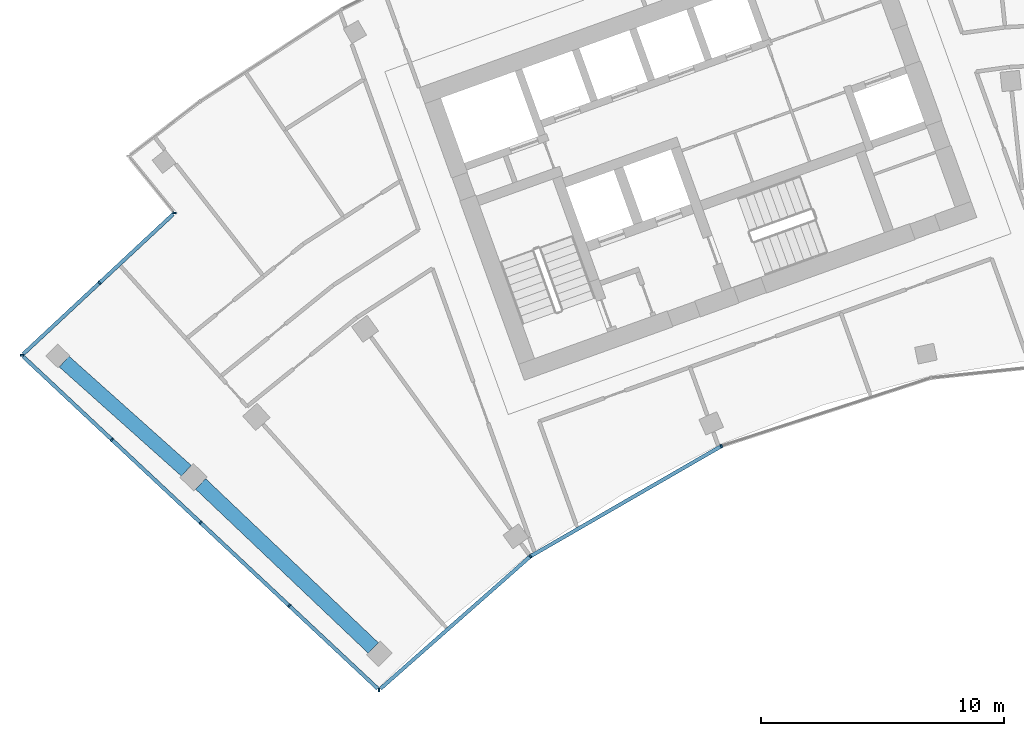
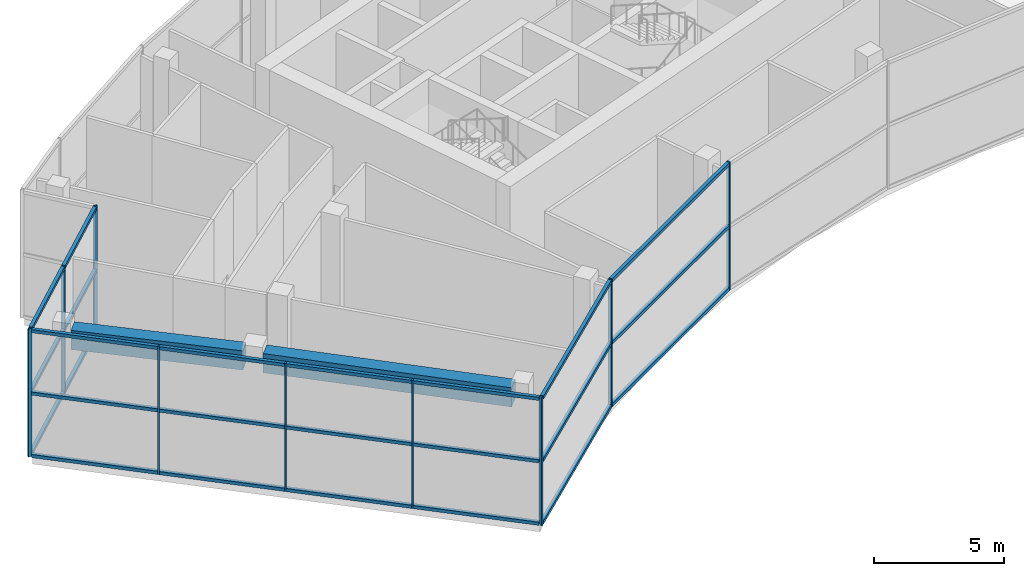
# One storey, part 2 of 18: 33 members, 2 beams, 3 elements without a shape of their own.
"""IFC4 building model written with IfcOpenShell, lengths in metres."""

from ifc_helpers import new_model, si_unit, direction, frame, origin, origin_2d, place, context, subcontext, project, spatial, rectangle, extrude, material, layer, layer_set, material_profile, profile_set, type_object, element, aggregate, save


model = new_model("IFC4")

# Units and contexts
model_context = context("Model", 3, precision=1e-05, world=origin(), true_north=direction((0.0, 1.0)))
body_context = subcontext(model_context, "Body", "Model", "MODEL_VIEW")
ifc_project = project(units=[si_unit("LENGTHUNIT", "METRE"), si_unit("AREAUNIT", "SQUARE_METRE"), si_unit("VOLUMEUNIT", "CUBIC_METRE"), si_unit("PLANEANGLEUNIT", "RADIAN"), si_unit("MASSUNIT", "GRAM", prefix="KILO")], contexts=[model_context])

# Site, building, storey
site_placement = place(None, origin())
site = spatial("IfcSite", under=ifc_project, at=site_placement, CompositionType="ELEMENT")
building_placement = place(site_placement, origin())
building = spatial("IfcBuilding", under=site, at=building_placement, Name="Stone Belt Terrace Tower", CompositionType="ELEMENT")
storey_placement = place(building_placement, frame((0.0, 0.0, 307.39990234375)))
storey = spatial("IfcBuildingStorey", under=building, at=storey_placement, Name="L75", CompositionType="ELEMENT", Elevation=307.39990234375)

# Curtain wall, members
ifc_material_1 = material(Name="Aluminium 6063-T6 anodised frame", Category="aluminium")
ifc_layer = layer(ifc_material_1, 0.14990234375)
ifc_layer_set = layer_set([ifc_layer], Name="CW-F observation floor curtain wall")
curtain_wall_type = type_object("IfcCurtainWallType", Name="CW-F observation floor curtain wall", PredefinedType="NOTDEFINED", material=ifc_layer_set)
curtain_wall_1_placement = place(storey_placement, origin())
curtain_wall_1 = element("IfcCurtainWall", 1, at=curtain_wall_1_placement, inside=storey, type_object=curtain_wall_type, Name="CW-F concave face L75", PredefinedType="NOTDEFINED")
ifc_material_profile_1 = material_profile(ifc_material_1, rectangle(XDim=0.14990234375, YDim=0.070068359375, at=origin_2d()), Name="Aluminium 6063-T6 70x150")
ifc_profile_set_1 = profile_set([ifc_material_profile_1], Name="Aluminium 6063-T6 anodised frame")
member_type_1 = type_object("IfcMemberType", Name="CW-F mullion 70 x 150", PredefinedType="MULLION", material=ifc_profile_set_1)
member_1_placement = place(storey_placement, frame((-31.75244140625, 29.633056640625, 0.0), z_axis=(0.0, 0.0, 1.0), x_axis=(0.014681639593, 0.999892218921, 0.0)))
member_1 = element("IfcMember", 2, at=member_1_placement, type_object=member_type_1, Name="CW-F mullion 1", PredefinedType="MULLION", context=body_context, shape_type="SweptSolid", body=[
    extrude(rectangle(XDim=0.14990234375, YDim=0.070068359375, at=origin_2d()), origin(), (0.0, 0.0, 1.0), 6.0),
])
member_2_placement = place(storey_placement, frame((-25.524658203125, 35.131103515625, 0.0), z_axis=(0.0, 0.0, 1.0), x_axis=(-0.583818854632, 0.811883947973, 0.0)))
member_2 = element("IfcMember", 3, at=member_2_placement, type_object=member_type_1, Name="CW-F mullion 2", PredefinedType="MULLION", context=body_context, shape_type="SweptSolid", body=[
    extrude(rectangle(XDim=0.14990234375, YDim=0.070068359375, at=origin_2d()), origin(), (0.0, 0.0, 1.0), 6.0),
])
member_3_placement = place(storey_placement, frame((-17.662353515625, 39.67041015625, 0.0), z_axis=(0.0, 0.0, 1.0), x_axis=(-0.406736643076, 0.913545457643, 0.0)))
member_3 = element("IfcMember", 4, at=member_3_placement, type_object=member_type_1, Name="CW-F mullion 3", PredefinedType="MULLION", context=body_context, shape_type="SweptSolid", body=[
    extrude(rectangle(XDim=0.14990234375, YDim=0.070068359375, at=origin_2d()), origin(), (0.0, 0.0, 1.0), 6.0),
])

curtain_wall_2_placement = place(storey_placement, origin())
curtain_wall_2 = element("IfcCurtainWall", 5, at=curtain_wall_2_placement, inside=storey, type_object=curtain_wall_type, Name="CW-F notch face L75", PredefinedType="NOTDEFINED")
member_4_placement = place(storey_placement, frame((-40.1708984375, 49.269287109375, 0.0), z_axis=(0.0, 0.0, 1.0), x_axis=(0.997639702696, -0.068666029474, 0.0)))
member_4 = element("IfcMember", 6, at=member_4_placement, type_object=member_type_1, Name="CW-F mullion 1", PredefinedType="MULLION", context=body_context, shape_type="SweptSolid", body=[
    extrude(rectangle(XDim=0.14990234375, YDim=0.070068359375, at=origin_2d()), origin(), (0.0, 0.0, 1.0), 6.0),
])
member_5_placement = place(storey_placement, frame((-43.260009765625, 46.388671875, 0.0), z_axis=(0.0, 0.0, 1.0), x_axis=(0.682013767261, -0.731339333871, 0.0)))
member_5 = element("IfcMember", 7, at=member_5_placement, type_object=member_type_1, Name="CW-F mullion 2", PredefinedType="MULLION", context=body_context, shape_type="SweptSolid", body=[
    extrude(rectangle(XDim=0.14990234375, YDim=0.070068359375, at=origin_2d()), origin(), (0.0, 0.0, 1.0), 6.0),
])

curtain_wall_3_placement = place(storey_placement, origin())
curtain_wall_3 = element("IfcCurtainWall", 8, at=curtain_wall_3_placement, inside=storey, type_object=curtain_wall_type, Name="CW-F end face L75", PredefinedType="NOTDEFINED")
member_6_placement = place(storey_placement, frame((-46.458740234375, 43.405517578125, 0.0), z_axis=(0.0, 0.0, 1.0), x_axis=(0.999999447771, -0.00105093149, 0.0)))
member_6 = element("IfcMember", 9, at=member_6_placement, type_object=member_type_1, Name="CW-F mullion 1", PredefinedType="MULLION", context=body_context, shape_type="SweptSolid", body=[
    extrude(rectangle(XDim=0.14990234375, YDim=0.070068359375, at=origin_2d()), origin(), (0.0, 0.0, 1.0), 6.0),
])
member_7_placement = place(storey_placement, frame((-42.750732421875, 39.932861328125, 0.0), z_axis=(0.0, 0.0, 1.0), x_axis=(0.683549434973, 0.729904219708, 0.0)))
member_7 = element("IfcMember", 10, at=member_7_placement, type_object=member_type_1, Name="CW-F mullion 2", PredefinedType="MULLION", context=body_context, shape_type="SweptSolid", body=[
    extrude(rectangle(XDim=0.14990234375, YDim=0.070068359375, at=origin_2d()), origin(), (0.0, 0.0, 1.0), 6.0),
])
member_8_placement = place(storey_placement, frame((-39.10107421875, 36.51513671875, 0.0), z_axis=(0.0, 0.0, 1.0), x_axis=(0.683549434973, 0.729904219708, 0.0)))
member_8 = element("IfcMember", 11, at=member_8_placement, type_object=member_type_1, Name="CW-F mullion 3", PredefinedType="MULLION", context=body_context, shape_type="SweptSolid", body=[
    extrude(rectangle(XDim=0.14990234375, YDim=0.070068359375, at=origin_2d()), origin(), (0.0, 0.0, 1.0), 6.0),
])
member_9_placement = place(storey_placement, frame((-35.45166015625, 33.097412109375, 0.0), z_axis=(0.0, 0.0, 1.0), x_axis=(0.683549434973, 0.729904219708, 0.0)))
member_9 = element("IfcMember", 12, at=member_9_placement, type_object=member_type_1, Name="CW-F mullion 4", PredefinedType="MULLION", context=body_context, shape_type="SweptSolid", body=[
    extrude(rectangle(XDim=0.14990234375, YDim=0.070068359375, at=origin_2d()), origin(), (0.0, 0.0, 1.0), 6.0),
])

# Member
ifc_material_profile_2 = material_profile(ifc_material_1, rectangle(XDim=0.14990234375, YDim=0.14990234375, at=origin_2d()), Name="Aluminium 6063-T6 150x150")
ifc_profile_set_2 = profile_set([ifc_material_profile_2], Name="Aluminium 6063-T6 anodised frame")
member_type_2 = type_object("IfcMemberType", Name="CW-F transom 150 x 150", PredefinedType="USERDEFINED", material=ifc_profile_set_2)
member_10_placement = place(storey_placement, frame((-31.695068359375, 29.68359375, 0.0751953125), z_axis=(0.749658592151, 0.661824746602, 0.0), x_axis=(-0.661824746602, 0.749658592151, 0.0)))
member_10 = element("IfcMember", 13, at=member_10_placement, type_object=member_type_2, Name="CW-F transom 1.1", ObjectType="TRANSOM", PredefinedType="USERDEFINED", context=body_context, shape_type="SweptSolid", body=[
    extrude(rectangle(XDim=0.14990234375, YDim=0.14990234375, at=origin_2d()), origin(), (0.0, 0.0, 1.0), 8.188720703125),
])

member_11_placement = place(storey_placement, frame((-31.695068359375, 29.68359375, 3.0), z_axis=(0.749658592151, 0.661824746602, 0.0), x_axis=(-0.661824746602, 0.749658592151, 0.0)))
member_11 = element("IfcMember", 14, at=member_11_placement, type_object=member_type_2, Name="CW-F transom 1.2", ObjectType="TRANSOM", PredefinedType="USERDEFINED", context=body_context, shape_type="SweptSolid", body=[
    extrude(rectangle(XDim=0.14990234375, YDim=0.14990234375, at=origin_2d()), origin(), (0.0, 0.0, 1.0), 8.188720703125),
])

member_12_placement = place(storey_placement, frame((-31.695068359375, 29.68359375, 5.925048828125), z_axis=(0.749658592151, 0.661824746602, 0.0), x_axis=(-0.661824746602, 0.749658592151, 0.0)))
member_12 = element("IfcMember", 15, at=member_12_placement, type_object=member_type_2, Name="CW-F transom 1.3", ObjectType="TRANSOM", PredefinedType="USERDEFINED", context=body_context, shape_type="SweptSolid", body=[
    extrude(rectangle(XDim=0.14990234375, YDim=0.14990234375, at=origin_2d()), origin(), (0.0, 0.0, 1.0), 8.188720703125),
])

member_13_placement = place(storey_placement, frame((-25.488037109375, 35.152099609375, 0.0751953125), z_axis=(0.866027820928, 0.499995813361, 0.0), x_axis=(-0.499995813361, 0.866027820928, 0.0)))
member_13 = element("IfcMember", 16, at=member_13_placement, type_object=member_type_2, Name="CW-F transom 2.1", ObjectType="TRANSOM", PredefinedType="USERDEFINED", context=body_context, shape_type="SweptSolid", body=[
    extrude(rectangle(XDim=0.14990234375, YDim=0.14990234375, at=origin_2d()), origin(), (0.0, 0.0, 1.0), 8.99365234375),
])

member_14_placement = place(storey_placement, frame((-25.488037109375, 35.152099609375, 3.0), z_axis=(0.866027820928, 0.499995813361, 0.0), x_axis=(-0.499995813361, 0.866027820928, 0.0)))
member_14 = element("IfcMember", 17, at=member_14_placement, type_object=member_type_2, Name="CW-F transom 2.2", ObjectType="TRANSOM", PredefinedType="USERDEFINED", context=body_context, shape_type="SweptSolid", body=[
    extrude(rectangle(XDim=0.14990234375, YDim=0.14990234375, at=origin_2d()), origin(), (0.0, 0.0, 1.0), 8.99365234375),
])

member_15_placement = place(storey_placement, frame((-25.488037109375, 35.152099609375, 5.925048828125), z_axis=(0.866027820928, 0.499995813361, 0.0), x_axis=(-0.499995813361, 0.866027820928, 0.0)))
member_15 = element("IfcMember", 18, at=member_15_placement, type_object=member_type_2, Name="CW-F transom 2.3", ObjectType="TRANSOM", PredefinedType="USERDEFINED", context=body_context, shape_type="SweptSolid", body=[
    extrude(rectangle(XDim=0.14990234375, YDim=0.14990234375, at=origin_2d()), origin(), (0.0, 0.0, 1.0), 8.99365234375),
])

aggregate(curtain_wall_1, [member_1, member_2, member_3, member_10, member_11, member_12, member_13, member_14, member_15])

member_16_placement = place(storey_placement, frame((-40.22705078125, 49.216796875, 0.0751953125), z_axis=(-0.731375048623, -0.681975467485, 0.0), x_axis=(0.681975467485, -0.731375048623, 0.0)))
member_16 = element("IfcMember", 19, at=member_16_placement, type_object=member_type_2, Name="CW-F transom 1.1", ObjectType="TRANSOM", PredefinedType="USERDEFINED", context=body_context, shape_type="SweptSolid", body=[
    extrude(rectangle(XDim=0.14990234375, YDim=0.14990234375, at=origin_2d()), origin(), (0.0, 0.0, 1.0), 4.11181640625),
])

member_17_placement = place(storey_placement, frame((-40.22705078125, 49.216796875, 3.0), z_axis=(-0.731375048623, -0.681975467485, 0.0), x_axis=(0.681975467485, -0.731375048623, 0.0)))
member_17 = element("IfcMember", 20, at=member_17_placement, type_object=member_type_2, Name="CW-F transom 1.2", ObjectType="TRANSOM", PredefinedType="USERDEFINED", context=body_context, shape_type="SweptSolid", body=[
    extrude(rectangle(XDim=0.14990234375, YDim=0.14990234375, at=origin_2d()), origin(), (0.0, 0.0, 1.0), 4.11181640625),
])

member_18_placement = place(storey_placement, frame((-40.22705078125, 49.216796875, 5.925048828125), z_axis=(-0.731375048623, -0.681975467485, 0.0), x_axis=(0.681975467485, -0.731375048623, 0.0)))
member_18 = element("IfcMember", 21, at=member_18_placement, type_object=member_type_2, Name="CW-F transom 1.3", ObjectType="TRANSOM", PredefinedType="USERDEFINED", context=body_context, shape_type="SweptSolid", body=[
    extrude(rectangle(XDim=0.14990234375, YDim=0.14990234375, at=origin_2d()), origin(), (0.0, 0.0, 1.0), 4.11181640625),
])

member_19_placement = place(storey_placement, frame((-43.285400390625, 46.36474609375, 0.0751953125), z_axis=(-0.73134677092, -0.682005792252, 0.0), x_axis=(0.682005792252, -0.73134677092, 0.0)))
member_19 = element("IfcMember", 22, at=member_19_placement, type_object=member_type_2, Name="CW-F transom 2.1", ObjectType="TRANSOM", PredefinedType="USERDEFINED", context=body_context, shape_type="SweptSolid", body=[
    extrude(rectangle(XDim=0.14990234375, YDim=0.14990234375, at=origin_2d()), origin(), (0.0, 0.0, 1.0), 4.26025390625),
])

member_20_placement = place(storey_placement, frame((-43.285400390625, 46.36474609375, 3.0), z_axis=(-0.73134677092, -0.682005792252, 0.0), x_axis=(0.682005792252, -0.73134677092, 0.0)))
member_20 = element("IfcMember", 23, at=member_20_placement, type_object=member_type_2, Name="CW-F transom 2.2", ObjectType="TRANSOM", PredefinedType="USERDEFINED", context=body_context, shape_type="SweptSolid", body=[
    extrude(rectangle(XDim=0.14990234375, YDim=0.14990234375, at=origin_2d()), origin(), (0.0, 0.0, 1.0), 4.26025390625),
])

member_21_placement = place(storey_placement, frame((-43.285400390625, 46.36474609375, 5.925048828125), z_axis=(-0.73134677092, -0.682005792252, 0.0), x_axis=(0.682005792252, -0.73134677092, 0.0)))
member_21 = element("IfcMember", 24, at=member_21_placement, type_object=member_type_2, Name="CW-F transom 2.3", ObjectType="TRANSOM", PredefinedType="USERDEFINED", context=body_context, shape_type="SweptSolid", body=[
    extrude(rectangle(XDim=0.14990234375, YDim=0.14990234375, at=origin_2d()), origin(), (0.0, 0.0, 1.0), 4.26025390625),
])

aggregate(curtain_wall_2, [member_4, member_5, member_16, member_17, member_18, member_19, member_20, member_21])

member_22_placement = place(storey_placement, frame((-46.4013671875, 43.351806640625, 0.0751953125), z_axis=(0.72990346306, -0.683550242933, 0.0), x_axis=(0.683550242933, 0.72990346306, 0.0)))
member_22 = element("IfcMember", 25, at=member_22_placement, type_object=member_type_2, Name="CW-F transom 1.1", ObjectType="TRANSOM", PredefinedType="USERDEFINED", context=body_context, shape_type="SweptSolid", body=[
    extrude(rectangle(XDim=0.14990234375, YDim=0.14990234375, at=origin_2d()), origin(), (0.0, 0.0, 1.0), 4.966796875),
])

member_23_placement = place(storey_placement, frame((-46.4013671875, 43.351806640625, 3.0), z_axis=(0.72990346306, -0.683550242933, 0.0), x_axis=(0.683550242933, 0.72990346306, 0.0)))
member_23 = element("IfcMember", 26, at=member_23_placement, type_object=member_type_2, Name="CW-F transom 1.2", ObjectType="TRANSOM", PredefinedType="USERDEFINED", context=body_context, shape_type="SweptSolid", body=[
    extrude(rectangle(XDim=0.14990234375, YDim=0.14990234375, at=origin_2d()), origin(), (0.0, 0.0, 1.0), 4.966796875),
])

member_24_placement = place(storey_placement, frame((-46.4013671875, 43.351806640625, 5.925048828125), z_axis=(0.72990346306, -0.683550242933, 0.0), x_axis=(0.683550242933, 0.72990346306, 0.0)))
member_24 = element("IfcMember", 27, at=member_24_placement, type_object=member_type_2, Name="CW-F transom 1.3", ObjectType="TRANSOM", PredefinedType="USERDEFINED", context=body_context, shape_type="SweptSolid", body=[
    extrude(rectangle(XDim=0.14990234375, YDim=0.14990234375, at=origin_2d()), origin(), (0.0, 0.0, 1.0), 4.966796875),
])

member_25_placement = place(storey_placement, frame((-42.72509765625, 39.908935546875, 0.0751953125), z_axis=(0.729903108642, -0.683550621384, 0.0), x_axis=(0.683550621384, 0.729903108642, 0.0)))
member_25 = element("IfcMember", 28, at=member_25_placement, type_object=member_type_2, Name="CW-F transom 2.1", ObjectType="TRANSOM", PredefinedType="USERDEFINED", context=body_context, shape_type="SweptSolid", body=[
    extrude(rectangle(XDim=0.14990234375, YDim=0.14990234375, at=origin_2d()), origin(), (0.0, 0.0, 1.0), 4.929931640625),
])

member_26_placement = place(storey_placement, frame((-42.72509765625, 39.908935546875, 3.0), z_axis=(0.729903108642, -0.683550621384, 0.0), x_axis=(0.683550621384, 0.729903108642, 0.0)))
member_26 = element("IfcMember", 29, at=member_26_placement, type_object=member_type_2, Name="CW-F transom 2.2", ObjectType="TRANSOM", PredefinedType="USERDEFINED", context=body_context, shape_type="SweptSolid", body=[
    extrude(rectangle(XDim=0.14990234375, YDim=0.14990234375, at=origin_2d()), origin(), (0.0, 0.0, 1.0), 4.929931640625),
])

member_27_placement = place(storey_placement, frame((-42.72509765625, 39.908935546875, 5.925048828125), z_axis=(0.729903108642, -0.683550621384, 0.0), x_axis=(0.683550621384, 0.729903108642, 0.0)))
member_27 = element("IfcMember", 30, at=member_27_placement, type_object=member_type_2, Name="CW-F transom 2.3", ObjectType="TRANSOM", PredefinedType="USERDEFINED", context=body_context, shape_type="SweptSolid", body=[
    extrude(rectangle(XDim=0.14990234375, YDim=0.14990234375, at=origin_2d()), origin(), (0.0, 0.0, 1.0), 4.929931640625),
])

member_28_placement = place(storey_placement, frame((-39.07568359375, 36.4912109375, 0.0751953125), z_axis=(0.729926246066, -0.683525914142, 0.0), x_axis=(0.683525914142, 0.729926246066, 0.0)))
member_28 = element("IfcMember", 31, at=member_28_placement, type_object=member_type_2, Name="CW-F transom 3.1", ObjectType="TRANSOM", PredefinedType="USERDEFINED", context=body_context, shape_type="SweptSolid", body=[
    extrude(rectangle(XDim=0.14990234375, YDim=0.14990234375, at=origin_2d()), origin(), (0.0, 0.0, 1.0), 4.93017578125),
])

member_29_placement = place(storey_placement, frame((-39.07568359375, 36.4912109375, 3.0), z_axis=(0.729926246066, -0.683525914142, 0.0), x_axis=(0.683525914142, 0.729926246066, 0.0)))
member_29 = element("IfcMember", 32, at=member_29_placement, type_object=member_type_2, Name="CW-F transom 3.2", ObjectType="TRANSOM", PredefinedType="USERDEFINED", context=body_context, shape_type="SweptSolid", body=[
    extrude(rectangle(XDim=0.14990234375, YDim=0.14990234375, at=origin_2d()), origin(), (0.0, 0.0, 1.0), 4.93017578125),
])

member_30_placement = place(storey_placement, frame((-39.07568359375, 36.4912109375, 5.925048828125), z_axis=(0.729926246066, -0.683525914142, 0.0), x_axis=(0.683525914142, 0.729926246066, 0.0)))
member_30 = element("IfcMember", 33, at=member_30_placement, type_object=member_type_2, Name="CW-F transom 3.3", ObjectType="TRANSOM", PredefinedType="USERDEFINED", context=body_context, shape_type="SweptSolid", body=[
    extrude(rectangle(XDim=0.14990234375, YDim=0.14990234375, at=origin_2d()), origin(), (0.0, 0.0, 1.0), 4.93017578125),
])

member_31_placement = place(storey_placement, frame((-35.426025390625, 33.073486328125, 0.0751953125), z_axis=(0.729901132892, -0.683552731107, 0.0), x_axis=(0.683552731107, 0.729901132892, 0.0)))
member_31 = element("IfcMember", 34, at=member_31_placement, type_object=member_type_2, Name="CW-F transom 4.1", ObjectType="TRANSOM", PredefinedType="USERDEFINED", context=body_context, shape_type="SweptSolid", body=[
    extrude(rectangle(XDim=0.14990234375, YDim=0.14990234375, at=origin_2d()), origin(), (0.0, 0.0, 1.0), 4.956787109375),
])

member_32_placement = place(storey_placement, frame((-35.426025390625, 33.073486328125, 3.0), z_axis=(0.729901132892, -0.683552731107, 0.0), x_axis=(0.683552731107, 0.729901132892, 0.0)))
member_32 = element("IfcMember", 35, at=member_32_placement, type_object=member_type_2, Name="CW-F transom 4.2", ObjectType="TRANSOM", PredefinedType="USERDEFINED", context=body_context, shape_type="SweptSolid", body=[
    extrude(rectangle(XDim=0.14990234375, YDim=0.14990234375, at=origin_2d()), origin(), (0.0, 0.0, 1.0), 4.956787109375),
])

member_33_placement = place(storey_placement, frame((-35.426025390625, 33.073486328125, 5.925048828125), z_axis=(0.729901132892, -0.683552731107, 0.0), x_axis=(0.683552731107, 0.729901132892, 0.0)))
member_33 = element("IfcMember", 36, at=member_33_placement, type_object=member_type_2, Name="CW-F transom 4.3", ObjectType="TRANSOM", PredefinedType="USERDEFINED", context=body_context, shape_type="SweptSolid", body=[
    extrude(rectangle(XDim=0.14990234375, YDim=0.14990234375, at=origin_2d()), origin(), (0.0, 0.0, 1.0), 4.956787109375),
])

aggregate(curtain_wall_3, [member_6, member_7, member_8, member_9, member_22, member_23, member_24, member_25, member_26, member_27, member_28, member_29, member_30, member_31, member_32, member_33])

# Beams
ifc_material_2 = material(Name="Concrete B60", Category="concrete")
ifc_material_profile_3 = material_profile(ifc_material_2, rectangle(XDim=0.60009765625, YDim=0.89990234375, at=origin_2d()), Name="RC 600x900")
ifc_profile_set_3 = profile_set([ifc_material_profile_3], Name="Concrete B60")
beam_type = type_object("IfcBeamType", Name="Edge beam RC 600x900 B60", PredefinedType="SPANDREL", material=ifc_profile_set_3)
beam_1_placement = place(storey_placement, frame((-31.98876953125, 31.35791015625, 5.2001953125), z_axis=(-0.72502367576, 0.688723942946, 0.0), x_axis=(-0.688723942946, -0.72502367576, 0.0)))
element("IfcBeam", 37, at=beam_1_placement, inside=storey, type_object=beam_type, Name="Edge beam L75 A P to Q", PredefinedType="SPANDREL", context=body_context, shape_type="SweptSolid", body=[
    extrude(rectangle(XDim=0.60009765625, YDim=0.89990234375, at=origin_2d()), origin(), (0.0, 0.0, 1.0), 9.80615234375),
])
beam_2_placement = place(storey_placement, frame((-39.68701171875, 38.65380859375, 5.2001953125), z_axis=(-0.745651125692, 0.666336550666, 0.0), x_axis=(-0.666336550666, -0.745651125692, 0.0)))
element("IfcBeam", 38, at=beam_2_placement, inside=storey, type_object=beam_type, Name="Edge beam L75 A Q to R", PredefinedType="SPANDREL", context=body_context, shape_type="SweptSolid", body=[
    extrude(rectangle(XDim=0.60009765625, YDim=0.89990234375, at=origin_2d()), origin(), (0.0, 0.0, 1.0), 6.744140625),
])

save(model, "model.ifc")
